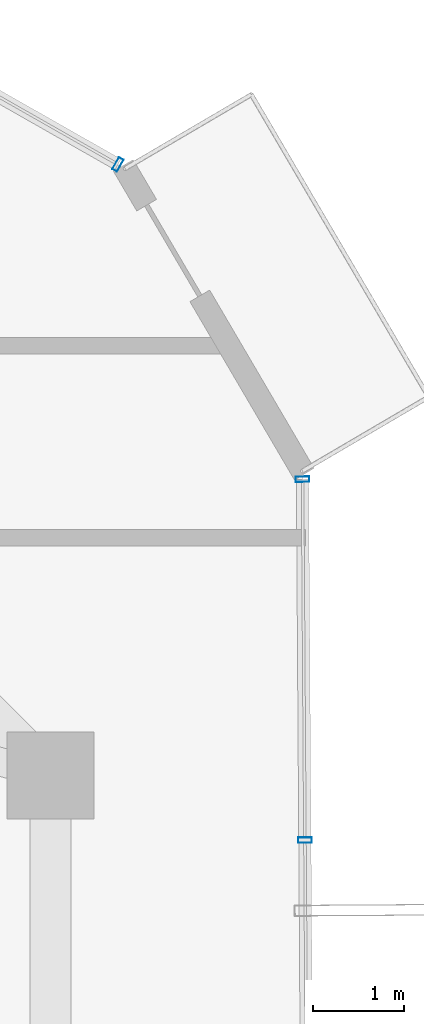
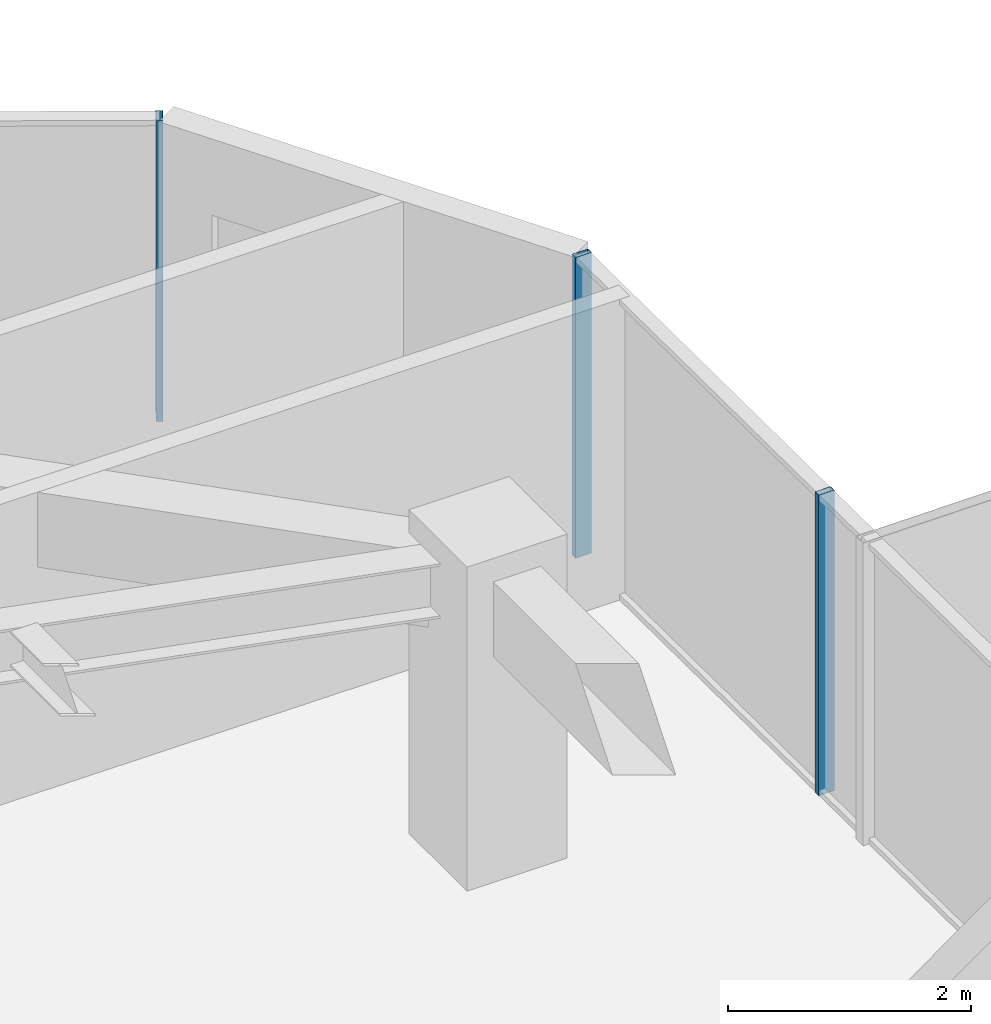
# One storey, part 19 of 31: 3 members, 2 elements without a shape of their own.
"""IFC4 building model written with IfcOpenShell, lengths in metres."""

from ifc_helpers import new_model, si_unit, direction, frame, origin, origin_2d, place, context, subcontext, project, spatial, hollow_rectangle, extrude, source, transform, mapped, material, layer, layer_set, material_profile, profile_set, type_object, element, aggregate, save


model = new_model("IFC4")

# Units and contexts
model_context = context("Model", 3, precision=1e-05, world=origin(), true_north=direction((0.0, 1.0)))
body_context = subcontext(model_context, "Body", "Model", "MODEL_VIEW")
ifc_project = project(units=[si_unit("LENGTHUNIT", "METRE"), si_unit("AREAUNIT", "SQUARE_METRE"), si_unit("VOLUMEUNIT", "CUBIC_METRE"), si_unit("PLANEANGLEUNIT", "RADIAN"), si_unit("MASSUNIT", "GRAM", prefix="KILO")], contexts=[model_context])

# Site, building, storey
site_placement = place(None, origin())
site = spatial("IfcSite", under=ifc_project, at=site_placement, CompositionType="ELEMENT")
building_placement = place(site_placement, origin())
building = spatial("IfcBuilding", under=site, at=building_placement, Name="Veraguas Prism Commons", CompositionType="ELEMENT")
storey_placement = place(building_placement, frame((0.0, 0.0, 204.85009765625)))
storey = spatial("IfcBuildingStorey", under=building, at=storey_placement, Name="L58", CompositionType="ELEMENT", Elevation=204.85009765625)

# Curtain wall, member
ifc_material = material(Name="Anodised aluminium EN AW-6063 T6", Category="aluminium")
ifc_layer = layer(ifc_material, 0.14990234375, Name="Unitised Flush Curtain Wall Zone 3", Category="aluminium")
ifc_layer_set = layer_set([ifc_layer], Name="Anodised aluminium EN AW-6063 T6")
curtain_wall_type = type_object("IfcCurtainWallType", Name="Unitised Flush Curtain Wall Zone 3", PredefinedType="NOTDEFINED", material=ifc_layer_set)
curtain_wall_1_placement = place(storey_placement, origin())
curtain_wall_1 = element("IfcCurtainWall", 1, at=curtain_wall_1_placement, inside=storey, type_object=curtain_wall_type, Name="Tower Facade Curtain Wall L58-F1", PredefinedType="NOTDEFINED")
ifc_material_profile = material_profile(ifc_material, hollow_rectangle(XDim=0.06005859375, YDim=0.14990234375, WallThickness=0.0029296875, at=origin_2d()), Name="AL60X150X3")
ifc_profile_set = profile_set([ifc_material_profile], Name="Anodised aluminium EN AW-6063 T6")
member_type = type_object("IfcMemberType", Name="Curtain Wall Mullion Upper AL 60x150x3", PredefinedType="MULLION", material=ifc_profile_set)
shared_shape = source(origin(), body_context, "Body", "SweptSolid", [
    extrude(hollow_rectangle(XDim=0.06005859375, YDim=0.14990234375, WallThickness=0.0029296875, at=origin_2d()), origin(), (0.0, 0.0, 1.0), 3.014892578125),
])
member_1_placement = place(storey_placement, frame((39.63916015625, 35.48095703125, 0.0), z_axis=(0.0, 0.0, 1.0), x_axis=(-0.869323320918, 0.494243830218, 0.0)))
member_1 = element("IfcMember", 2, at=member_1_placement, type_object=member_type, Name="CW-Z3 Mullion 1", PredefinedType="MULLION", context=body_context, shape_type="MappedRepresentation", body=[
    mapped(shared_shape, transform((0.0, 0.0, 0.0), scale=1.0)),
])
aggregate(curtain_wall_1, [member_1])

# Curtain wall, members
curtain_wall_2_placement = place(storey_placement, origin())
curtain_wall_2 = element("IfcCurtainWall", 3, at=curtain_wall_2_placement, inside=storey, type_object=curtain_wall_type, Name="Tower Facade Curtain Wall L58-F6", PredefinedType="NOTDEFINED")
member_2_placement = place(storey_placement, frame((41.68359375, 28.093017578125, 0.0), z_axis=(0.0, 0.0, 1.0), x_axis=(-0.006633947827, 0.999977995126, 0.0)))
member_2 = element("IfcMember", 4, at=member_2_placement, type_object=member_type, Name="CW-Z3 Mullion 4", PredefinedType="MULLION", context=body_context, shape_type="MappedRepresentation", body=[
    mapped(shared_shape, transform((0.0, 0.0, 0.0), scale=1.0)),
])
member_3_placement = place(storey_placement, frame((41.6572265625, 32.03857421875, 0.0), z_axis=(0.0, 0.0, 1.0), x_axis=(-0.006633947827, 0.999977995126, 0.0)))
member_3 = element("IfcMember", 5, at=member_3_placement, type_object=member_type, Name="CW-Z3 Mullion 5", PredefinedType="MULLION", context=body_context, shape_type="MappedRepresentation", body=[
    mapped(shared_shape, transform((0.0, 0.0, 0.0), scale=1.0)),
])
aggregate(curtain_wall_2, [member_2, member_3])

save(model, "model.ifc")
